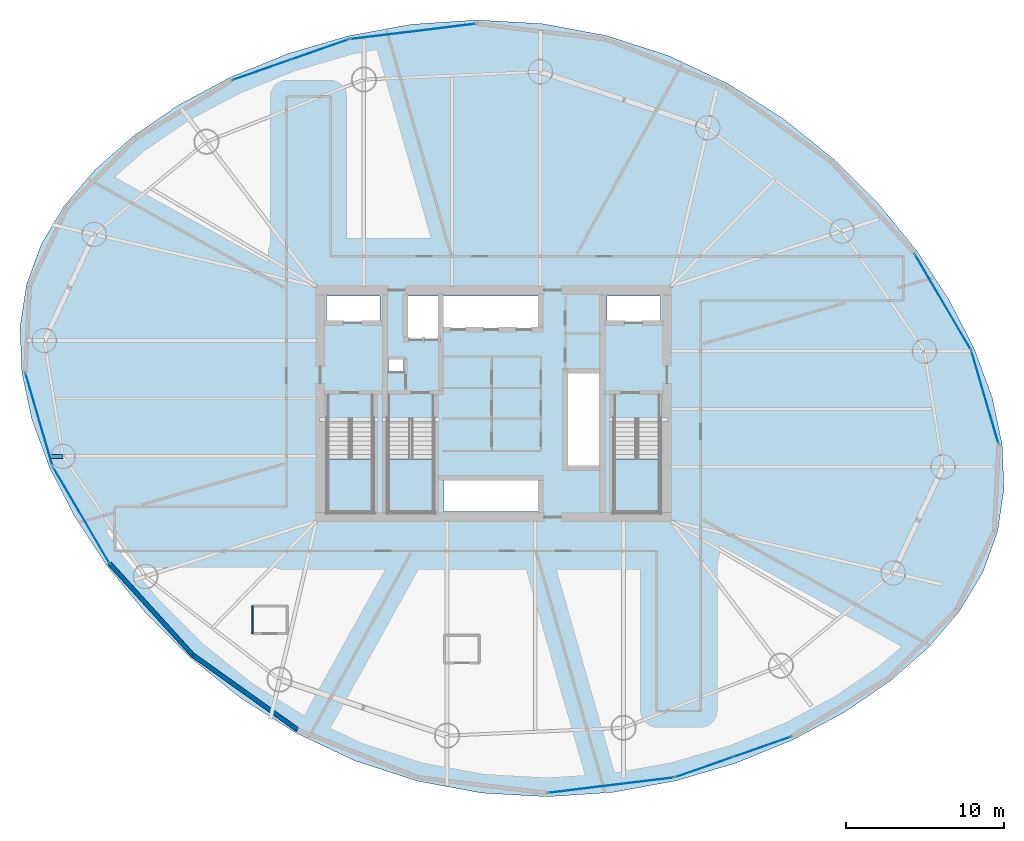
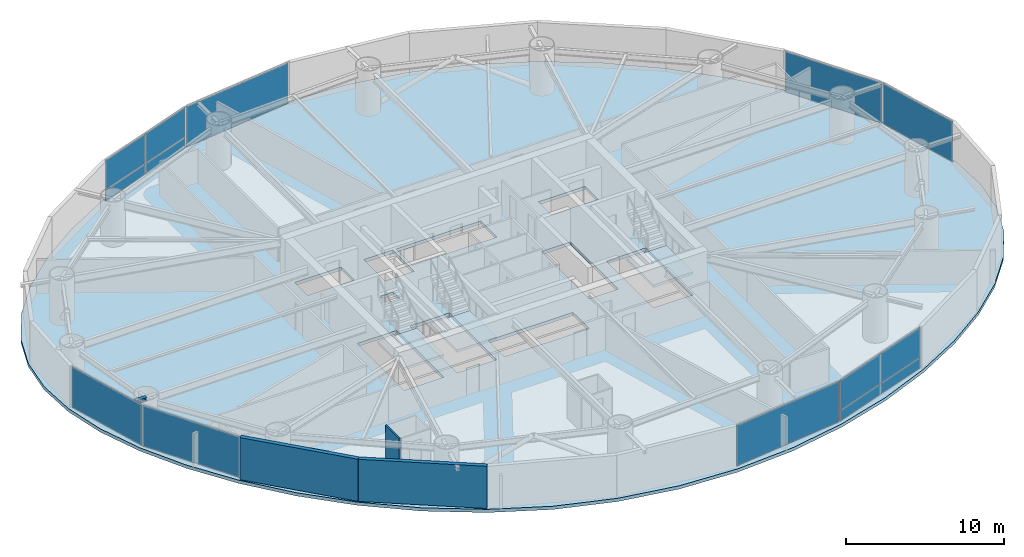
# One storey, part 22 of 30: 14 plates, 4 slabs, 3 walls, 1 beam, 11 elements without a shape of their own.
"""IFC4 building model written with IfcOpenShell, lengths in metres."""

import ifcopenshell
import ifcopenshell.guid

model = None  # the IFC model being written
_history = None  # IfcOwnerHistory: only IFC2X3 demands one
_inside = {}  # id of a spatial element -> (the spatial element, [elements in it])
_under = {}  # id of a project, library or spatial element -> (it, [spatial elements below it])
_declared = {}  # id of a project -> (the project, [libraries it declares])
_typed = {}  # id of a type object -> (the type object, [elements of that type])
_made_of = {}  # id of a material, layer set ... -> (it, [elements and type objects made of it])


def new_model(schema):
    """Start an empty IFC model of exactly this schema.

    Asked for "IFC4X3", IfcOpenShell would pick the latest addendum, in which some entities
    have other attributes; the version numbers below select the first issue.
    IFC2X3 requires an IfcOwnerHistory on every rooted entity: one is made here for all.
    """
    global model, _history
    if schema == "IFC4X3":
        model = ifcopenshell.file(schema_version=(4, 3, 0, 0))
    else:
        model = ifcopenshell.file(schema=schema)
    _inside.clear()
    _under.clear()
    _declared.clear()
    _typed.clear()
    _made_of.clear()
    _history = None
    if model.schema == "IFC2X3":
        org = make("IfcOrganization", Name="unknown")
        user = make(
            "IfcPersonAndOrganization",
            ThePerson=make("IfcPerson", FamilyName="unknown"),
            TheOrganization=org,
        )
        app = make(
            "IfcApplication",
            ApplicationDeveloper=org,
            Version="unknown",
            ApplicationFullName="unknown",
            ApplicationIdentifier="unknown",
        )
        _history = make(
            "IfcOwnerHistory",
            OwningUser=user,
            OwningApplication=app,
            ChangeAction="ADDED",
            CreationDate=0,
        )
    return model


def make(cls, **values):
    """One entity of the class cls with the attributes given. An attribute that is None is left unset."""
    return model.create_entity(
        cls, **{name: value for name, value in values.items() if value is not None}
    )


def rooted(cls, **values):
    """An entity with a GlobalId (a new one), such as an element, a storey or a relation."""
    return make(cls, GlobalId=ifcopenshell.guid.new(), OwnerHistory=_history, **values)


def si_unit(unit_type, name, prefix=None):
    """IfcSIUnit, for example si_unit("LENGTHUNIT", "METRE", prefix="MILLI")."""
    return make("IfcSIUnit", UnitType=unit_type, Prefix=prefix, Name=name)


def assignment(units):
    """IfcUnitAssignment: the units of a project."""
    return None if units is None else make("IfcUnitAssignment", Units=units)


def point(xyz):
    """IfcCartesianPoint."""
    return None if xyz is None else make("IfcCartesianPoint", Coordinates=xyz)


def direction(xyz):
    """IfcDirection."""
    return None if xyz is None else make("IfcDirection", DirectionRatios=xyz)


def frame(location, z_axis=None, x_axis=None):
    """IfcAxis2Placement3D, a coordinate frame: its origin and axes. An axis left out is left unset."""
    return make(
        "IfcAxis2Placement3D",
        Location=point(location),
        Axis=direction(z_axis),
        RefDirection=direction(x_axis),
    )


def frame_2d(location, x_axis=None):
    """IfcAxis2Placement2D, a coordinate frame in the plane: its origin and x axis."""
    return make(
        "IfcAxis2Placement2D", Location=point(location), RefDirection=direction(x_axis)
    )


def origin():
    """The frame at (0, 0, 0) with its axes left unset."""
    return frame((0.0, 0.0, 0.0))


def origin_2d():
    """The frame at (0, 0) in the plane with its x axis left unset."""
    return frame_2d((0.0, 0.0))


def place(relative_to, where):
    """IfcLocalPlacement: puts the frame where relative to a parent placement (None: the world)."""
    return make(
        "IfcLocalPlacement", PlacementRelTo=relative_to, RelativePlacement=where
    )


def context(
    kind, dimensions, precision=None, world=None, true_north=None, identifier=None
):
    """IfcGeometricRepresentationContext, for example the 3D "Model" context."""
    return make(
        "IfcGeometricRepresentationContext",
        ContextIdentifier=identifier,
        ContextType=kind,
        CoordinateSpaceDimension=dimensions,
        Precision=precision,
        WorldCoordinateSystem=world,
        TrueNorth=true_north,
    )


def subcontext(parent, identifier, kind, view, scale=None):
    """IfcGeometricRepresentationSubContext, for example "Body" below "Model"."""
    return make(
        "IfcGeometricRepresentationSubContext",
        ContextIdentifier=identifier,
        ContextType=kind,
        ParentContext=parent,
        TargetScale=scale,
        TargetView=view,
    )


def project(units=None, contexts=None):
    """IfcProject with its units and contexts."""
    return rooted(
        "IfcProject",
        Name="project",
        RepresentationContexts=contexts,
        UnitsInContext=assignment(units),
    )


def spatial(cls, under=None, at=None, **own):
    """A site, building, storey or space (cls), placed at a placement, below another one or the project."""
    s = rooted(cls, ObjectPlacement=at, **own)
    if under is not None:
        _under.setdefault(under.id(), (under, []))[1].append(s)
    return s


def polyline(points):
    """IfcPolyline through the points."""
    return make("IfcPolyline", Points=[point(p) for p in points])


def profile(cls, at=None, kind="AREA", **sizes):
    """A parametric profile (cls). Its sizes go by their IFC names, for example OverallWidth=200.0."""
    return make(cls, ProfileType=kind, Position=at, **sizes)


def rectangle(**sizes):
    """IfcRectangleProfileDef."""
    return profile("IfcRectangleProfileDef", **sizes)


def i_section(**sizes):
    """IfcIShapeProfileDef."""
    return profile("IfcIShapeProfileDef", **sizes)


def outline(outer, holes=None, kind="AREA"):
    """IfcArbitraryClosedProfileDef: a profile drawn as a closed curve; with holes, ...WithVoids."""
    if holes is None:
        return make("IfcArbitraryClosedProfileDef", ProfileType=kind, OuterCurve=outer)
    return make(
        "IfcArbitraryProfileDefWithVoids",
        ProfileType=kind,
        OuterCurve=outer,
        InnerCurves=holes,
    )


def extrude(swept, where, along, depth):
    """IfcExtrudedAreaSolid: the profile swept, set in the frame where, extruded along a direction by depth."""
    return make(
        "IfcExtrudedAreaSolid",
        SweptArea=swept,
        Position=where,
        ExtrudedDirection=direction(along),
        Depth=depth,
    )


def shape(context_of_items, identifier, shape_type, items):
    """IfcShapeRepresentation: the items that make up one representation, for example the "Body"."""
    return make(
        "IfcShapeRepresentation",
        ContextOfItems=context_of_items,
        RepresentationIdentifier=identifier,
        RepresentationType=shape_type,
        Items=items,
    )


def material(Name=None, Category=None):
    """IfcMaterial."""
    return make("IfcMaterial", Name=Name, Category=Category)


def layer(
    of_material, thickness, ventilated=None, Name=None, Category=None, Priority=None
):
    """IfcMaterialLayer: one layer of a wall or slab, of a material (None: an air gap)."""
    return make(
        "IfcMaterialLayer",
        Material=of_material,
        LayerThickness=thickness,
        IsVentilated=ventilated,
        Name=Name,
        Category=Category,
        Priority=Priority,
    )


def layer_set(layers, Name=None):
    """IfcMaterialLayerSet."""
    return make("IfcMaterialLayerSet", MaterialLayers=layers, LayerSetName=Name)


def material_profile(
    of_material, cross_section, Name=None, Category=None, Priority=None
):
    """IfcMaterialProfile: a cross section and its material."""
    return make(
        "IfcMaterialProfile",
        Name=Name,
        Material=of_material,
        Profile=cross_section,
        Priority=Priority,
        Category=Category,
    )


def profile_set(profiles, Name=None, composite=None):
    """IfcMaterialProfileSet."""
    return make(
        "IfcMaterialProfileSet",
        Name=Name,
        MaterialProfiles=profiles,
        CompositeProfile=composite,
    )


def made_of(thing, what):
    """Note that an element or type object is made of a material, layer set ...; save() writes the relation."""
    if what is not None:
        _made_of.setdefault(what.id(), (what, []))[1].append(thing)
    return thing


def type_object(cls, material=None, **own):
    """A type object (cls), such as IfcWallType, which elements share."""
    return made_of(rooted(cls, **own), material)


def element(
    cls,
    number,
    at=None,
    inside=None,
    cuts=None,
    type_object=None,
    material=None,
    context=None,
    identifier="Body",
    shape_type=None,
    held_by="IfcProductDefinitionShape",
    body=None,
    shapes=None,
    **own,
):
    """One element of the class cls, such as IfcWall. Its Tag is "e" and its number.

    at: its placement. inside: the storey or other place that contains it. cuts: it is an
    opening in that element (IfcRelVoidsElement). A single representation is given by context,
    identifier, shape_type and body (its items); several are given by shapes. held_by: the class
    of the entity that holds the representations. save() writes the other relations.
    """
    e = rooted(cls, Tag="e%d" % number, ObjectPlacement=at, **own)
    if body is not None:
        shapes = [shape(context, identifier, shape_type, body)]
    if shapes is not None:
        e.Representation = make(held_by, Representations=shapes)
    if inside is not None:
        _inside.setdefault(inside.id(), (inside, []))[1].append(e)
    if cuts is not None:
        rooted(
            "IfcRelVoidsElement", RelatingBuildingElement=cuts, RelatedOpeningElement=e
        )
    if type_object is not None:
        _typed.setdefault(type_object.id(), (type_object, []))[1].append(e)
    return made_of(e, material)


def aggregate(whole, parts):
    """IfcRelAggregates: a whole, such as a stair, and the parts it consists of."""
    return rooted("IfcRelAggregates", RelatingObject=whole, RelatedObjects=parts)


def save(model, path):
    """Write the relations noted so far, then the file.

    IfcRelAggregates (storeys below a building ...), IfcRelContainedInSpatialStructure (elements
    in a storey), IfcRelDefinesByType, IfcRelAssociatesMaterial and IfcRelDeclares: one each for
    every whole, place, type object, material and project.
    """
    for whole, parts in _under.values():
        aggregate(whole, parts)
    for where, things in _inside.values():
        rooted(
            "IfcRelContainedInSpatialStructure",
            RelatedElements=things,
            RelatingStructure=where,
        )
    for kind, things in _typed.values():
        rooted("IfcRelDefinesByType", RelatedObjects=things, RelatingType=kind)
    for what, things in _made_of.values():
        rooted("IfcRelAssociatesMaterial", RelatedObjects=things, RelatingMaterial=what)
    for by, libraries in _declared.values():
        rooted("IfcRelDeclares", RelatingContext=by, RelatedDefinitions=libraries)
    model.write(path)


model = new_model("IFC4")

# Units and contexts
model_context = context("Model", 3, precision=1e-05, world=origin(), true_north=direction((0.0, 1.0)))
body_context = subcontext(model_context, "Body", "Model", "MODEL_VIEW")
ifc_project = project(units=[si_unit("LENGTHUNIT", "METRE"), si_unit("AREAUNIT", "SQUARE_METRE"), si_unit("VOLUMEUNIT", "CUBIC_METRE"), si_unit("PLANEANGLEUNIT", "RADIAN"), si_unit("MASSUNIT", "GRAM", prefix="KILO")], contexts=[model_context])

# Site, building, storey
site_placement = place(None, origin())
site = spatial("IfcSite", under=ifc_project, at=site_placement, CompositionType="ELEMENT")
building_placement = place(site_placement, origin())
building = spatial("IfcBuilding", under=site, at=building_placement, Name="Bramvorn Convention Spire", CompositionType="ELEMENT")
storey_placement = place(building_placement, frame((0.0, 0.0, 90.39990234375)))
storey = spatial("IfcBuildingStorey", under=building, at=storey_placement, Name="L21", CompositionType="ELEMENT", Elevation=90.39990234375)

# Beam
ifc_material_1 = material(Name="Steel CSA G40.21 Grade 350 (350W)", Category="steel")
ifc_material_profile = material_profile(ifc_material_1, i_section(OverallWidth=0.25390625, OverallDepth=0.2529296875, WebThickness=0.008544921875, FlangeThickness=0.01416015625, FilletRadius=0.011962890625, at=origin_2d()))
ifc_profile_set = profile_set([ifc_material_profile], Name="Steel CSA G40.21 Grade 350 (350W) - W250X73")
beam_type = type_object("IfcBeamType", Name="BM-W250X73", PredefinedType="BEAM", material=ifc_profile_set)
beam_placement = place(storey_placement, frame((10.661376953125, 22.659912109375, 3.12353515625), z_axis=(-1.0, 0.0, 0.0), x_axis=(0.0, -1.0, 0.0)))
element("IfcBeam", 1, at=beam_placement, inside=storey, type_object=beam_type, Name="L21 slab-edge cantilever tip beam MC10", PredefinedType="BEAM", context=body_context, shape_type="SweptSolid", body=[
    extrude(i_section(OverallWidth=0.25390625, OverallDepth=0.2529296875, WebThickness=0.008544921875, FlangeThickness=0.01416015625, FilletRadius=0.011962890625, at=origin_2d()), origin(), (0.0, 0.0, 1.0), 0.800048828125),
])

# Curtain wall, plate
ifc_material_2 = material(Name="Anodised Bronze Unitised Curtain Wall", Category="aluminium")
ifc_layer_1 = layer(ifc_material_2, 0.179931640625)
ifc_layer_set_1 = layer_set([ifc_layer_1], Name="Anodised Bronze Unitised Curtain Wall - CW-HTL-FRIT")
curtain_wall_type = type_object("IfcCurtainWallType", Name="CW-HTL-FRIT", PredefinedType="USERDEFINED", material=ifc_layer_set_1)
curtain_wall_1_placement = place(storey_placement, origin())
curtain_wall_1 = element("IfcCurtainWall", 2, at=curtain_wall_1_placement, inside=storey, type_object=curtain_wall_type, Name="L21 fritted glass curtain wall 02", ObjectType="UNITISED CURTAIN WALL", PredefinedType="USERDEFINED")
ifc_material_3 = material(Name="Laminated Low-E Glass (Triple IGU Bronze Ceramic Frit 35%)", Category="glass")
ifc_layer_2 = layer(ifc_material_3, 0.035888671875)
ifc_layer_set_2 = layer_set([ifc_layer_2], Name="Laminated Low-E Glass (Triple IGU Bronze Ceramic Frit 35%) - PNL-IGU-1")
plate_type = type_object("IfcPlateType", Name="PNL-IGU-1", PredefinedType="CURTAIN_PANEL", material=ifc_layer_set_2)
plate_1_placement = place(storey_placement, frame((69.185302734375, 26.40283203125, 0.06005859375), z_axis=(0.0, 0.0, 1.0), x_axis=(0.280197803467, -0.959942285209, 0.0)))
plate_1 = element("IfcPlate", 3, at=plate_1_placement, type_object=plate_type, Name="CW2 panel 1.1", PredefinedType="CURTAIN_PANEL", context=body_context, shape_type="SweptSolid", body=[
    extrude(rectangle(XDim=6.092041015625, YDim=0.028076171875, at=origin_2d()), origin(), (0.0, 0.0, 1.0), 3.1298828125),
])
aggregate(curtain_wall_1, [plate_1])

curtain_wall_2_placement = place(storey_placement, origin())
curtain_wall_2 = element("IfcCurtainWall", 4, at=curtain_wall_2_placement, inside=storey, type_object=curtain_wall_type, Name="L21 fritted glass curtain wall 03", ObjectType="UNITISED CURTAIN WALL", PredefinedType="USERDEFINED")
plate_2_placement = place(storey_placement, frame((66.50830078125, 32.465087890625, 0.06005859375), z_axis=(0.0, 0.0, 1.0), x_axis=(0.505836984209, -0.862629089126, 0.0)))
plate_2 = element("IfcPlate", 5, at=plate_2_placement, type_object=plate_type, Name="CW2 panel 1.1", PredefinedType="CURTAIN_PANEL", context=body_context, shape_type="SweptSolid", body=[
    extrude(rectangle(XDim=7.022705078125, YDim=0.028076171875, at=origin_2d()), origin(), (0.0, 0.0, 1.0), 3.1298828125),
])
aggregate(curtain_wall_2, [plate_2])

curtain_wall_3_placement = place(storey_placement, origin())
curtain_wall_3 = element("IfcCurtainWall", 6, at=curtain_wall_3_placement, inside=storey, type_object=curtain_wall_type, Name="L21 fritted glass curtain wall 08", ObjectType="UNITISED CURTAIN WALL", PredefinedType="USERDEFINED")
plate_3_placement = place(storey_placement, frame((32.875732421875, 49.624267578125, 0.06005859375), z_axis=(0.0, 0.0, 1.0), x_axis=(0.992598165762, 0.121444972421, 0.0)))
plate_3 = element("IfcPlate", 7, at=plate_3_placement, type_object=plate_type, Name="CW2 panel 1.1", PredefinedType="CURTAIN_PANEL", context=body_context, shape_type="SweptSolid", body=[
    extrude(rectangle(XDim=8.05078125, YDim=0.028076171875, at=origin_2d()), origin(), (0.0, 0.0, 1.0), 3.1298828125),
])
aggregate(curtain_wall_3, [plate_3])

# Curtain wall, plates
curtain_wall_4_placement = place(storey_placement, origin())
curtain_wall_4 = element("IfcCurtainWall", 8, at=curtain_wall_4_placement, inside=storey, type_object=curtain_wall_type, Name="L21 fritted glass curtain wall 09", ObjectType="UNITISED CURTAIN WALL", PredefinedType="USERDEFINED")
plate_4_placement = place(storey_placement, frame((23.280517578125, 47.191650390625, 0.06005859375), z_axis=(0.0, 0.0, 1.0), x_axis=(0.943990436737, 0.329972810015, 0.0)))
plate_4 = element("IfcPlate", 9, at=plate_4_placement, type_object=plate_type, Name="CW2 panel 1.1", PredefinedType="CURTAIN_PANEL", context=body_context, shape_type="SweptSolid", body=[
    extrude(rectangle(XDim=3.83251953125, YDim=0.028076171875, at=origin_2d()), origin(), (0.0, 0.0, 1.0), 0.81005859375),
])
plate_5_placement = place(storey_placement, frame((23.280517578125, 47.191650390625, 0.93017578125), z_axis=(0.0, 0.0, 1.0), x_axis=(0.943990436737, 0.329972810015, 0.0)))
plate_5 = element("IfcPlate", 10, at=plate_5_placement, type_object=plate_type, Name="CW2 panel 1.2", PredefinedType="CURTAIN_PANEL", context=body_context, shape_type="SweptSolid", body=[
    extrude(rectangle(XDim=3.83251953125, YDim=0.028076171875, at=origin_2d()), origin(), (0.0, 0.0, 1.0), 2.260009765625),
])
plate_6_placement = place(storey_placement, frame((26.955078125, 48.47607421875, 0.06005859375), z_axis=(0.0, 0.0, 1.0), x_axis=(0.943990436737, 0.329972810015, 0.0)))
plate_6 = element("IfcPlate", 11, at=plate_6_placement, type_object=plate_type, Name="CW2 panel 2.1", PredefinedType="CURTAIN_PANEL", context=body_context, shape_type="SweptSolid", body=[
    extrude(rectangle(XDim=3.83251953125, YDim=0.028076171875, at=origin_2d()), origin(), (0.0, 0.0, 1.0), 0.81005859375),
])
plate_7_placement = place(storey_placement, frame((26.955078125, 48.47607421875, 0.93017578125), z_axis=(0.0, 0.0, 1.0), x_axis=(0.943990436737, 0.329972810015, 0.0)))
plate_7 = element("IfcPlate", 12, at=plate_7_placement, type_object=plate_type, Name="CW2 panel 2.2", PredefinedType="CURTAIN_PANEL", context=body_context, shape_type="SweptSolid", body=[
    extrude(rectangle(XDim=3.83251953125, YDim=0.028076171875, at=origin_2d()), origin(), (0.0, 0.0, 1.0), 2.260009765625),
])
aggregate(curtain_wall_4, [plate_4, plate_5, plate_6, plate_7])

# Curtain wall, plate
curtain_wall_5_placement = place(storey_placement, origin())
curtain_wall_5 = element("IfcCurtainWall", 13, at=curtain_wall_5_placement, inside=storey, type_object=curtain_wall_type, Name="L21 fritted glass curtain wall 14", ObjectType="UNITISED CURTAIN WALL", PredefinedType="USERDEFINED")
plate_8_placement = place(storey_placement, frame((9.140869140625, 25.00634765625, 0.06005859375), z_axis=(0.0, 0.0, 1.0), x_axis=(-0.280178639826, 0.959947878681, 0.0)))
plate_8 = element("IfcPlate", 14, at=plate_8_placement, type_object=plate_type, Name="CW2 panel 1.1", PredefinedType="CURTAIN_PANEL", context=body_context, shape_type="SweptSolid", body=[
    extrude(rectangle(XDim=6.092041015625, YDim=0.028076171875, at=origin_2d()), origin(), (0.0, 0.0, 1.0), 3.1298828125),
])
aggregate(curtain_wall_5, [plate_8])

curtain_wall_6_placement = place(storey_placement, origin())
curtain_wall_6 = element("IfcCurtainWall", 15, at=curtain_wall_6_placement, inside=storey, type_object=curtain_wall_type, Name="L21 fritted glass curtain wall 15", ObjectType="UNITISED CURTAIN WALL", PredefinedType="USERDEFINED")
plate_9_placement = place(storey_placement, frame((11.81787109375, 18.944091796875, 0.06005859375), z_axis=(0.0, 0.0, 1.0), x_axis=(-0.505836984209, 0.862629089126, 0.0)))
plate_9 = element("IfcPlate", 16, at=plate_9_placement, type_object=plate_type, Name="CW2 panel 1.1", PredefinedType="CURTAIN_PANEL", context=body_context, shape_type="SweptSolid", body=[
    extrude(rectangle(XDim=7.022705078125, YDim=0.028076171875, at=origin_2d()), origin(), (0.0, 0.0, 1.0), 3.1298828125),
])
aggregate(curtain_wall_6, [plate_9])

curtain_wall_7_placement = place(storey_placement, origin())
curtain_wall_7 = element("IfcCurtainWall", 17, at=curtain_wall_7_placement, inside=storey, type_object=curtain_wall_type, Name="L21 fritted glass curtain wall 20", ObjectType="UNITISED CURTAIN WALL", PredefinedType="USERDEFINED")
plate_10_placement = place(storey_placement, frame((45.450439453125, 1.784912109375, 0.06005859375), z_axis=(0.0, 0.0, 1.0), x_axis=(-0.992596690358, -0.121457030631, 0.0)))
plate_10 = element("IfcPlate", 18, at=plate_10_placement, type_object=plate_type, Name="CW2 panel 1.1", PredefinedType="CURTAIN_PANEL", context=body_context, shape_type="SweptSolid", body=[
    extrude(rectangle(XDim=8.05078125, YDim=0.028076171875, at=origin_2d()), origin(), (0.0, 0.0, 1.0), 3.1298828125),
])
aggregate(curtain_wall_7, [plate_10])

# Curtain wall, plates
curtain_wall_8_placement = place(storey_placement, origin())
curtain_wall_8 = element("IfcCurtainWall", 19, at=curtain_wall_8_placement, inside=storey, type_object=curtain_wall_type, Name="L21 fritted glass curtain wall 21", ObjectType="UNITISED CURTAIN WALL", PredefinedType="USERDEFINED")
plate_11_placement = place(storey_placement, frame((55.04541015625, 4.2177734375, 0.06005859375), z_axis=(0.0, 0.0, 1.0), x_axis=(-0.943990436737, -0.329972810015, 0.0)))
plate_11 = element("IfcPlate", 20, at=plate_11_placement, type_object=plate_type, Name="CW2 panel 1.1", PredefinedType="CURTAIN_PANEL", context=body_context, shape_type="SweptSolid", body=[
    extrude(rectangle(XDim=3.83251953125, YDim=0.028076171875, at=origin_2d()), origin(), (0.0, 0.0, 1.0), 0.81005859375),
])
plate_12_placement = place(storey_placement, frame((55.04541015625, 4.2177734375, 0.93017578125), z_axis=(0.0, 0.0, 1.0), x_axis=(-0.943990436737, -0.329972810015, 0.0)))
plate_12 = element("IfcPlate", 21, at=plate_12_placement, type_object=plate_type, Name="CW2 panel 1.2", PredefinedType="CURTAIN_PANEL", context=body_context, shape_type="SweptSolid", body=[
    extrude(rectangle(XDim=3.83251953125, YDim=0.028076171875, at=origin_2d()), origin(), (0.0, 0.0, 1.0), 2.260009765625),
])
plate_13_placement = place(storey_placement, frame((51.37109375, 2.933349609375, 0.06005859375), z_axis=(0.0, 0.0, 1.0), x_axis=(-0.943990436737, -0.329972810015, 0.0)))
plate_13 = element("IfcPlate", 22, at=plate_13_placement, type_object=plate_type, Name="CW2 panel 2.1", PredefinedType="CURTAIN_PANEL", context=body_context, shape_type="SweptSolid", body=[
    extrude(rectangle(XDim=3.83251953125, YDim=0.028076171875, at=origin_2d()), origin(), (0.0, 0.0, 1.0), 0.81005859375),
])
plate_14_placement = place(storey_placement, frame((51.37109375, 2.933349609375, 0.93017578125), z_axis=(0.0, 0.0, 1.0), x_axis=(-0.943990436737, -0.329972810015, 0.0)))
plate_14 = element("IfcPlate", 23, at=plate_14_placement, type_object=plate_type, Name="CW2 panel 2.2", PredefinedType="CURTAIN_PANEL", context=body_context, shape_type="SweptSolid", body=[
    extrude(rectangle(XDim=3.83251953125, YDim=0.028076171875, at=origin_2d()), origin(), (0.0, 0.0, 1.0), 2.260009765625),
])
aggregate(curtain_wall_8, [plate_11, plate_12, plate_13, plate_14])

# Stair, slab
ifc_material_4 = material(Name="Concrete C40/50 Precast Stair", Category="concrete")
stair_type = type_object("IfcStairType", Name="ST-TOWER-1550", PredefinedType="HALF_TURN_STAIR", material=ifc_material_4)
stair_1_placement = place(storey_placement, origin())
stair_1 = element("IfcStair", 24, at=stair_1_placement, inside=storey, type_object=stair_type, Name="L21 Protected Exit Stair ST1", PredefinedType="HALF_TURN_STAIR")
ifc_material_5 = material(Name="Concrete C40/50 Stair Landing", Category="concrete")
ifc_layer_3 = layer(ifc_material_5, 0.219970703125)
ifc_layer_set_3 = layer_set([ifc_layer_3], Name="Concrete C40/50 Stair Landing - SLB-STAIR-LANDING")
slab_type_1 = type_object("IfcSlabType", Name="SLB-STAIR-LANDING", PredefinedType="LANDING", material=ifc_layer_set_3)
slab_1_placement = place(storey_placement, frame((0.0, 0.0, 1.550048828125)))
slab_1 = element("IfcSlab", 25, at=slab_1_placement, type_object=slab_type_1, Name="ST1 landing 1", PredefinedType="LANDING", context=body_context, shape_type="SweptSolid", body=[
    extrude(outline(polyline([(27.449951171875, 22.485107421875), (27.449951171875, 19.10009765625), (30.35009765625, 19.10009765625), (30.35009765625, 22.485107421875), (27.449951171875, 22.485107421875)])), origin(), (0.0, 0.0, 1.0), 0.199951171875),
])
aggregate(stair_1, [slab_1])

stair_2_placement = place(storey_placement, origin())
stair_2 = element("IfcStair", 26, at=stair_2_placement, inside=storey, type_object=stair_type, Name="L21 Protected Exit Stair ST2", PredefinedType="HALF_TURN_STAIR")
slab_2_placement = place(storey_placement, frame((0.0, 0.0, 1.550048828125)))
slab_2 = element("IfcSlab", 27, at=slab_2_placement, type_object=slab_type_1, Name="ST2 landing 1", PredefinedType="LANDING", context=body_context, shape_type="SweptSolid", body=[
    extrude(outline(polyline([(45.64990234375, 22.485107421875), (45.64990234375, 19.10009765625), (48.550048828125, 19.10009765625), (48.550048828125, 22.485107421875), (45.64990234375, 22.485107421875)])), origin(), (0.0, 0.0, 1.0), 0.199951171875),
])
aggregate(stair_2, [slab_2])

stair_3_placement = place(storey_placement, origin())
stair_3 = element("IfcStair", 28, at=stair_3_placement, inside=storey, type_object=stair_type, Name="L21 Protected Exit Stair ST3", PredefinedType="HALF_TURN_STAIR")
slab_3_placement = place(storey_placement, frame((0.0, 0.0, 1.550048828125)))
slab_3 = element("IfcSlab", 29, at=slab_3_placement, type_object=slab_type_1, Name="ST3 landing 1", PredefinedType="LANDING", context=body_context, shape_type="SweptSolid", body=[
    extrude(outline(polyline([(31.300048828125, 22.485107421875), (31.300048828125, 19.10009765625), (34.199951171875, 19.10009765625), (34.199951171875, 22.485107421875), (31.300048828125, 22.485107421875)])), origin(), (0.0, 0.0, 1.0), 0.199951171875),
])
aggregate(stair_3, [slab_3])

# Slab
ifc_material_6 = material(Name="Concrete C50/60", Category="concrete")
ifc_layer_4 = layer(ifc_material_6, 0.25)
ifc_layer_set_4 = layer_set([ifc_layer_4], Name="Concrete C50/60 - SLB-Z1-250")
slab_type_2 = type_object("IfcSlabType", Name="SLB-Z1-250", PredefinedType="FLOOR", material=ifc_layer_set_4)
slab_4_placement = place(storey_placement, frame((0.0, 0.0, -0.25)))
element("IfcSlab", 30, at=slab_4_placement, inside=storey, type_object=slab_type_2, Name="L21 tower floor slab", PredefinedType="FLOOR", context=body_context, shape_type="SweptSolid", body=[
    extrude(outline(polyline([(69.984619140625, 17.876953125), (70.39111328125, 20.58203125), (70.2744140625, 23.420166015625), (69.64697265625, 26.381103515625), (68.525634765625, 29.43994140625), (66.931884765625, 32.552978515625), (64.890869140625, 35.658447265625), (62.430908203125, 38.677490234375), (59.584228515625, 41.51953125), (56.38818359375, 44.091064453125), (52.885986328125, 46.302734375), (49.127685546875, 48.078369140625), (45.171142578125, 49.361572265625), (41.081787109375, 50.12158203125), (36.931640625, 50.354736328125), (32.798583984375, 50.082275390625), (28.7626953125, 49.34716796875), (24.905029296875, 48.207763671875), (21.302490234375, 46.728515625), (18.027099609375, 44.973388671875), (15.14111328125, 42.997802734375), (12.696044921875, 40.8447265625), (10.731689453125, 38.5419921875), (9.275146484375, 36.103515625), (8.341552734375, 33.5322265625), (7.935302734375, 30.8271484375), (8.0517578125, 27.989013671875), (8.67919921875, 25.028076171875), (9.800537109375, 21.969482421875), (11.394287109375, 18.856201171875), (13.435302734375, 15.750732421875), (15.895263671875, 12.73193359375), (18.74169921875, 9.8896484375), (21.937744140625, 7.318115234375), (25.440185546875, 5.1064453125), (29.198486328125, 3.330810546875), (33.155029296875, 2.047607421875), (37.244384765625, 1.28759765625), (41.39453125, 1.054443359375), (45.527587890625, 1.3271484375), (49.5634765625, 2.06201171875), (53.421142578125, 3.201416015625), (57.0234375, 4.6806640625), (60.299072265625, 6.435791015625), (63.18505859375, 8.411376953125), (65.6298828125, 10.564453125), (67.59423828125, 12.8671875), (69.05078125, 15.3056640625), (69.984619140625, 17.876953125)]), holes=[polyline([(27.449951171875, 25.050048828125), (27.449951171875, 19.10009765625), (30.35009765625, 19.10009765625), (30.35009765625, 25.050048828125), (27.449951171875, 25.050048828125)]), polyline([(45.64990234375, 25.050048828125), (45.64990234375, 19.10009765625), (48.550048828125, 19.10009765625), (48.550048828125, 25.050048828125), (45.64990234375, 25.050048828125)]), polyline([(31.300048828125, 25.050048828125), (31.300048828125, 19.10009765625), (34.199951171875, 19.10009765625), (34.199951171875, 25.050048828125), (31.300048828125, 25.050048828125)]), polyline([(27.39990234375, 31.219970703125), (30.800048828125, 31.219970703125), (30.800048828125, 32.85009765625), (27.39990234375, 32.85009765625), (27.39990234375, 31.219970703125)]), polyline([(45.199951171875, 31.219970703125), (48.60009765625, 31.219970703125), (48.60009765625, 32.85009765625), (45.199951171875, 32.85009765625), (45.199951171875, 31.219970703125)]), polyline([(32.449951171875, 30.14990234375), (34.56005859375, 30.14990234375), (34.56005859375, 32.85009765625), (32.449951171875, 32.85009765625), (32.449951171875, 30.14990234375)]), polyline([(34.800048828125, 30.800048828125), (40.97998046875, 30.800048828125), (40.97998046875, 32.85009765625), (34.800048828125, 32.85009765625), (34.800048828125, 30.800048828125)]), polyline([(34.800048828125, 19.14990234375), (40.97998046875, 19.14990234375), (40.97998046875, 21.199951171875), (34.800048828125, 21.199951171875), (34.800048828125, 19.14990234375)]), polyline([(42.6201171875, 22.0), (44.75, 22.0), (44.75, 28.0), (42.6201171875, 28.0), (42.6201171875, 22.0)]), polyline([(31.320068359375, 28.02001953125), (32.280029296875, 28.02001953125), (32.280029296875, 28.820068359375), (31.320068359375, 28.820068359375), (31.320068359375, 28.02001953125)])]), origin(), (0.0, 0.0, 1.0), 0.25),
])

# Walls
ifc_material_7 = material(Name="Precast Concrete C40/50 with Bronze Terracotta Rainscreen", Category="masonry")
ifc_layer_5 = layer(ifc_material_7, 0.300048828125)
ifc_layer_set_5 = layer_set([ifc_layer_5], Name="Precast Concrete C40/50 with Bronze Terracotta Rainscreen - WL-EXT-BRONZE-300")
wall_type_1 = type_object("IfcWallType", Name="WL-EXT-BRONZE-300", PredefinedType="SOLIDWALL", material=ifc_layer_set_5)
wall_1_placement = place(storey_placement, frame((18.897216796875, 10.0546875, 0.0), z_axis=(0.0, 0.0, 1.0), x_axis=(-0.672142867196, 0.740421478671, 0.0)))
element("IfcWall", 31, at=wall_1_placement, inside=storey, type_object=wall_type_1, Name="L21 expressed bronze Gothic lancet pier wall 16", PredefinedType="SOLIDWALL", context=body_context, shape_type="SweptSolid", body=[
    extrude(rectangle(XDim=7.844970703125, YDim=0.280029296875, at=frame_2d((3.92236328125, 0.0))), origin(), (0.0, 0.0, 1.0), 3.25),
])
wall_2_placement = place(storey_placement, frame((25.55126953125, 5.312744140625, 0.0), z_axis=(0.0, 0.0, 1.0), x_axis=(-0.814366918051, 0.580350344865, 0.0)))
element("IfcWall", 32, at=wall_2_placement, inside=storey, type_object=wall_type_1, Name="L21 expressed bronze Gothic lancet pier wall 17", PredefinedType="SOLIDWALL", context=body_context, shape_type="SweptSolid", body=[
    extrude(rectangle(XDim=8.1708984375, YDim=0.280029296875, at=frame_2d((4.08544921875, 0.0))), origin(), (0.0, 0.0, 1.0), 3.25),
])
ifc_material_8 = material(Name="Lightweight En-Suite & Wet-Wall Partition", Category="gypsum")
ifc_layer_6 = layer(ifc_material_8, 0.110107421875)
ifc_layer_set_6 = layer_set([ifc_layer_6], Name="Lightweight En-Suite & Wet-Wall Partition - WL-PART-110")
wall_type_2 = type_object("IfcWallType", Name="WL-PART-110", PredefinedType="PARTITIONING", material=ifc_layer_set_6)
wall_3_placement = place(storey_placement, frame((22.70068359375, 11.408203125, 0.0), z_axis=(0.0, 0.0, 1.0), x_axis=(0.0, 1.0, 0.0)))
element("IfcWall", 33, at=wall_3_placement, inside=storey, type_object=wall_type_2, Name="Hotel Suite 2105 en-suite west wall", PredefinedType="PARTITIONING", context=body_context, shape_type="SweptSolid", body=[
    extrude(rectangle(XDim=1.760009765625, YDim=0.110107421875, at=frame_2d((0.8798828125, 0.0))), origin(), (0.0, 0.0, 1.0), 2.60009765625),
])

save(model, "model.ifc")
